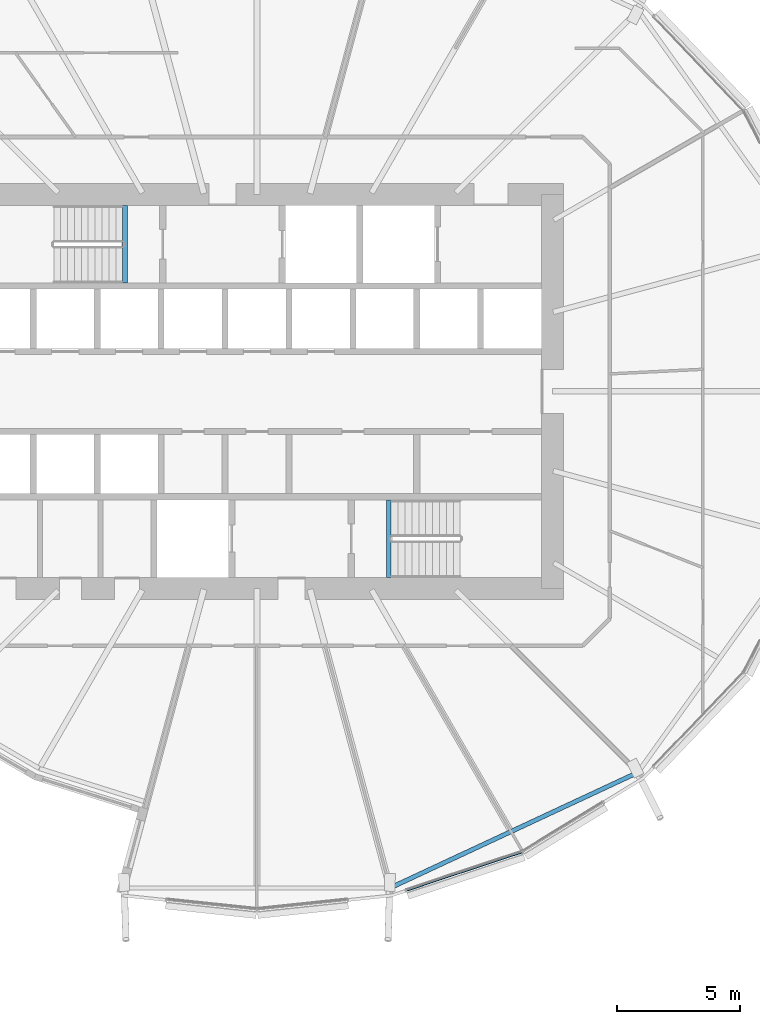
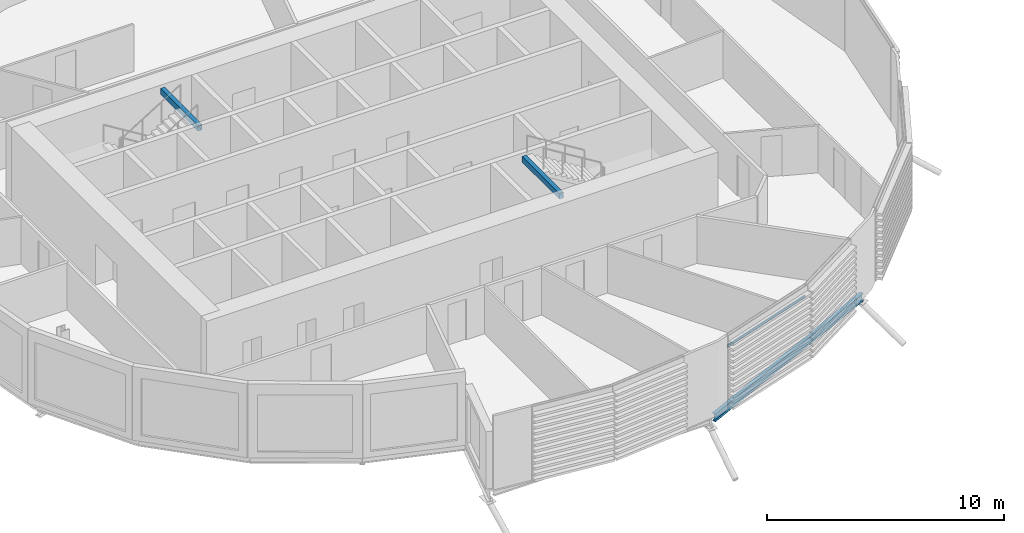
# One storey, part 6 of 38: 3 beams, 1 member, 1 element without a shape of its own.
"""IFC4 building model written with IfcOpenShell, lengths in metres."""

from ifc_helpers import new_model, si_unit, direction, frame, origin, origin_2d, place, context, subcontext, project, spatial, rectangle, hollow_rectangle, i_section, extrude, material, material_profile, profile_set, type_object, element, aggregate, save


model = new_model("IFC4")

# Units and contexts
model_context = context("Model", 3, precision=1e-05, world=origin(), true_north=direction((0.0, 1.0)))
body_context = subcontext(model_context, "Body", "Model", "MODEL_VIEW")
ifc_project = project(units=[si_unit("LENGTHUNIT", "METRE"), si_unit("AREAUNIT", "SQUARE_METRE"), si_unit("VOLUMEUNIT", "CUBIC_METRE"), si_unit("PLANEANGLEUNIT", "RADIAN"), si_unit("MASSUNIT", "GRAM", prefix="KILO")], contexts=[model_context])

# Site, building, storey
site_placement = place(None, origin())
site = spatial("IfcSite", under=ifc_project, at=site_placement, CompositionType="ELEMENT")
building_placement = place(site_placement, origin())
building = spatial("IfcBuilding", under=site, at=building_placement, Name="Rimbun Link Towers", CompositionType="ELEMENT")
storey_placement = place(building_placement, frame((0.0, 0.0, 68.0)))
storey = spatial("IfcBuildingStorey", under=building, at=storey_placement, Name="L16", CompositionType="ELEMENT", Elevation=68.0)

# Curtain wall, member
ifc_material_1 = material(Name="Aluminium 6063-T6 and low-iron glass", Category="aluminium")
curtain_wall_type = type_object("IfcCurtainWallType", Name="CW1 unitised vision wall", PredefinedType="NOTDEFINED", material=ifc_material_1)
curtain_wall_placement = place(storey_placement, origin())
curtain_wall = element("IfcCurtainWall", 1, at=curtain_wall_placement, inside=storey, type_object=curtain_wall_type, Name="CW1 L16 T1", PredefinedType="NOTDEFINED")
ifc_material_2 = material(Name="Aluminium 6063-T6", Category="aluminium")
ifc_material_profile_1 = material_profile(ifc_material_2, rectangle(XDim=0.06005859375, YDim=0.1201171875, at=origin_2d()), Name="TRANSOM 60X120")
ifc_profile_set_1 = profile_set([ifc_material_profile_1], Name="Aluminium 6063-T6")
member_type = type_object("IfcMemberType", Name="CW1 transom 60X120", PredefinedType="USERDEFINED", material=ifc_profile_set_1)
member_placement = place(storey_placement, frame((-20.9951171875, -18.7099609375, 3.199951171875), z_axis=(-0.949232441731, -0.314575541906, 0.0), x_axis=(0.314575541906, -0.949232441731, 0.0)))
member = element("IfcMember", 2, at=member_placement, type_object=member_type, Name="CW1 transom", ObjectType="TRANSOM", PredefinedType="USERDEFINED", context=body_context, shape_type="SweptSolid", body=[
    extrude(rectangle(XDim=0.06005859375, YDim=0.1201171875, at=origin_2d()), origin(), (0.0, 0.0, 1.0), 4.921875),
])
aggregate(curtain_wall, [member])

# Beams
ifc_material_3 = material(Name="Steel S355J2", Category="steel")
ifc_material_profile_2 = material_profile(ifc_material_3, hollow_rectangle(XDim=0.199951171875, YDim=0.300048828125, WallThickness=0.011962890625, at=origin_2d()), Name="BOX 300x200x12")
ifc_profile_set_2 = profile_set([ifc_material_profile_2], Name="Steel S355J2")
beam_type_1 = type_object("IfcBeamType", Name="Stair trimmer beam BOX 300x200x12", PredefinedType="BEAM", material=ifc_profile_set_2)
for number, where, z_axis, x_axis, name in (
    (3, (-37.10009765625, 7.550048828125, 3.489990234375), (0.0, -1.0, 0.0), (1.0, 0.0, 0.0), "L16 ST1 stair beam 1"),
    (4, (-26.39990234375, -7.550048828125, 3.489990234375), (0.0, 1.0, 0.0), (-1.0, 0.0, 0.0), "L16 ST2 stair beam 1"),
):
    element("IfcBeam", number, at=place(storey_placement, frame(where, z_axis=z_axis, x_axis=x_axis)), inside=storey, type_object=beam_type_1, Name=name, PredefinedType="BEAM", context=body_context, shape_type="SweptSolid", body=[
        extrude(hollow_rectangle(XDim=0.199951171875, YDim=0.300048828125, WallThickness=0.011962890625, at=origin_2d()), origin(), (0.0, 0.0, 1.0), 3.150146484375),
    ])
ifc_material_4 = material(Name="Steel S355J2", Category="steel")
ifc_material_profile_3 = material_profile(ifc_material_4, i_section(OverallWidth=0.177978515625, OverallDepth=0.406494140625, WebThickness=0.0078125, FlangeThickness=0.0126953125, at=origin_2d()), Name="UB 406x178x60")
ifc_profile_set_3 = profile_set([ifc_material_profile_3], Name="Steel S355J2")
beam_type_2 = type_object("IfcBeamType", Name="UB 406x178x60", PredefinedType="BEAM", material=ifc_profile_set_3)
beam_placement = place(storey_placement, frame((-26.231201171875, -20.10205078125, -0.36328125), z_axis=(0.906379422837, 0.422464604266, 0.0), x_axis=(-0.422464604266, 0.906379422837, 0.0)))
element("IfcBeam", 5, at=beam_placement, inside=storey, type_object=beam_type_2, Name="Edge beam T1 L16 19-21", PredefinedType="BEAM", context=body_context, shape_type="SweptSolid", body=[
    extrude(i_section(OverallWidth=0.177978515625, OverallDepth=0.406494140625, WebThickness=0.0078125, FlangeThickness=0.0126953125, at=origin_2d()), origin(), (0.0, 0.0, 1.0), 10.862060546875),
])

save(model, "model.ifc")
